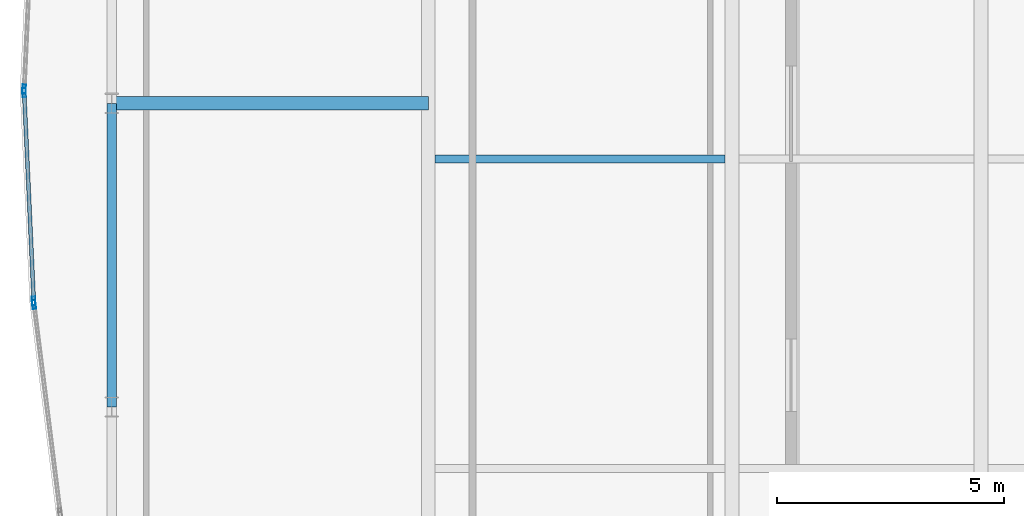
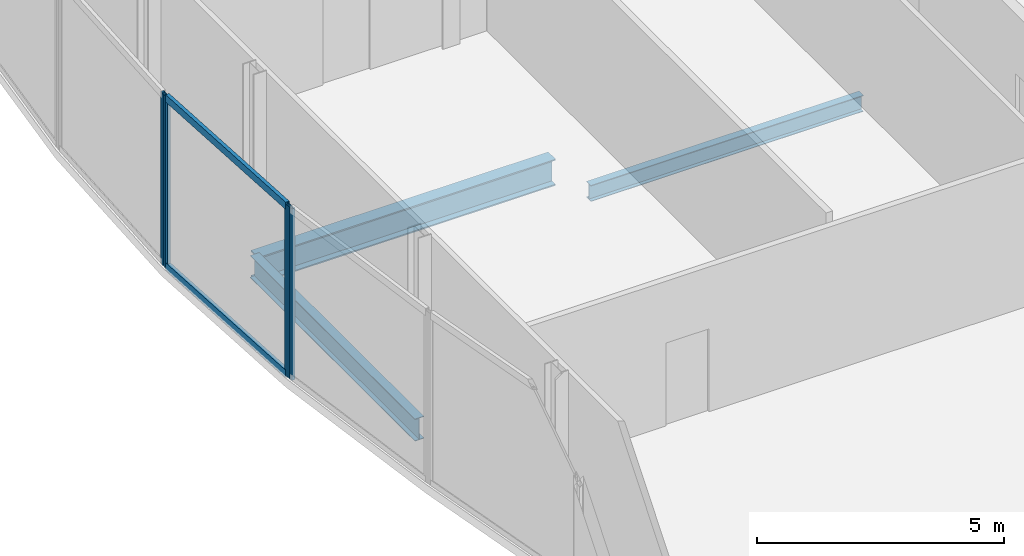
# One storey, part 9 of 27: 6 members, 3 beams, 3 elements without a shape of their own.
"""IFC4 building model written with IfcOpenShell, lengths in metres."""

from ifc_helpers import new_model, si_unit, direction, frame, origin, origin_2d, place, context, subcontext, project, spatial, hollow_rectangle, i_section, extrude, material, material_profile, profile_set, type_object, element, aggregate, save


model = new_model("IFC4")

# Units and contexts
model_context = context("Model", 3, precision=1e-05, world=origin(), true_north=direction((0.0, 1.0)))
body_context = subcontext(model_context, "Body", "Model", "MODEL_VIEW")
ifc_project = project(units=[si_unit("LENGTHUNIT", "METRE"), si_unit("AREAUNIT", "SQUARE_METRE"), si_unit("VOLUMEUNIT", "CUBIC_METRE"), si_unit("PLANEANGLEUNIT", "RADIAN"), si_unit("MASSUNIT", "GRAM", prefix="KILO")], contexts=[model_context])

# Site, building, storey
site_placement = place(None, origin())
site = spatial("IfcSite", under=ifc_project, at=site_placement, CompositionType="ELEMENT")
building_placement = place(site_placement, origin())
building = spatial("IfcBuilding", under=site, at=building_placement, Name="Khoronbel Lancet Exchange", CompositionType="ELEMENT")
storey_placement = place(building_placement, frame((0.0, 0.0, 305.800048828125)))
storey = spatial("IfcBuildingStorey", under=building, at=storey_placement, Name="L79", CompositionType="ELEMENT", Elevation=305.800048828125)

# Beams
ifc_material_1 = material(Name="Steel S355", Category="steel")
ifc_material_profile_1 = material_profile(ifc_material_1, i_section(OverallWidth=0.300048828125, OverallDepth=0.64990234375, WebThickness=0.01611328125, FlangeThickness=0.031005859375, at=origin_2d()), Name="HEB 650")
ifc_profile_set_1 = profile_set([ifc_material_profile_1], Name="Steel S355")
beam_type_1 = type_object("IfcBeamType", Name="BM-BG4", PredefinedType="BEAM", material=ifc_profile_set_1)
beam_1_placement = place(storey_placement, frame((11.27001953125, 31.425048828125, -0.545166015625), z_axis=(1.0, 0.0, 0.0), x_axis=(0.0, 1.0, 0.0)))
element("IfcBeam", 1, at=beam_1_placement, inside=storey, type_object=beam_type_1, Name="Level L79 west lens tie girder LG2W", PredefinedType="BEAM", context=body_context, shape_type="SweptSolid", body=[
    extrude(i_section(OverallWidth=0.300048828125, OverallDepth=0.64990234375, WebThickness=0.01611328125, FlangeThickness=0.031005859375, at=origin_2d()), origin(), (0.0, 0.0, 1.0), 6.955078125),
])
ifc_material_profile_2 = material_profile(ifc_material_1, i_section(OverallWidth=0.179931640625, OverallDepth=0.39990234375, WebThickness=0.008544921875, FlangeThickness=0.013427734375, at=origin_2d()), Name="IPE 400")
ifc_profile_set_2 = profile_set([ifc_material_profile_2], Name="Steel S355")
beam_type_2 = type_object("IfcBeamType", Name="BM-BJ5", PredefinedType="JOIST", material=ifc_profile_set_2)
beam_2_placement = place(storey_placement, frame((18.375, 30.199951171875, -0.420166015625), z_axis=(1.0, 0.0, 0.0), x_axis=(0.0, 1.0, 0.0)))
element("IfcBeam", 2, at=beam_2_placement, inside=storey, type_object=beam_type_2, Name="Level L79 secondary composite joist J11", PredefinedType="JOIST", context=body_context, shape_type="SweptSolid", body=[
    extrude(i_section(OverallWidth=0.179931640625, OverallDepth=0.39990234375, WebThickness=0.008544921875, FlangeThickness=0.013427734375, at=origin_2d()), origin(), (0.0, 0.0, 1.0), 6.375),
])
ifc_material_profile_3 = material_profile(ifc_material_1, i_section(OverallWidth=0.2099609375, OverallDepth=0.550048828125, WebThickness=0.010986328125, FlangeThickness=0.01708984375, at=origin_2d()), Name="IPE 550")
ifc_profile_set_3 = profile_set([ifc_material_profile_3], Name="Steel S355")
beam_type_3 = type_object("IfcBeamType", Name="BM-BSP3", PredefinedType="SPANDREL", material=ifc_profile_set_3)
beam_3_placement = place(storey_placement, frame((11.27001953125, 31.425048828125, -0.4951171875), z_axis=(0.0, -1.0, 0.0), x_axis=(1.0, 0.0, 0.0)))
element("IfcBeam", 3, at=beam_3_placement, inside=storey, type_object=beam_type_3, Name="Level L79 perimeter spandrel beam SP17", PredefinedType="SPANDREL", context=body_context, shape_type="SweptSolid", body=[
    extrude(i_section(OverallWidth=0.2099609375, OverallDepth=0.550048828125, WebThickness=0.010986328125, FlangeThickness=0.01708984375, at=origin_2d()), origin(), (0.0, 0.0, 1.0), 6.675048828125),
])

# Curtain wall, member
ifc_material_2 = material(Name="Low-E Solar Control Insulating Glass", Category="glass")
curtain_wall_type = type_object("IfcCurtainWallType", Name="CW-4", PredefinedType="NOTDEFINED", material=ifc_material_2)
curtain_wall_1_placement = place(storey_placement, origin())
curtain_wall_1 = element("IfcCurtainWall", 4, at=curtain_wall_1_placement, inside=storey, type_object=curtain_wall_type, Name="Unitised curtain wall CW-L79-E05", PredefinedType="NOTDEFINED")
ifc_material_3 = material(Name="Bronze-Anodised Aluminium 6063-T6", Category="aluminium")
ifc_material_profile_4 = material_profile(ifc_material_3, hollow_rectangle(XDim=0.074951171875, YDim=0.199951171875, WallThickness=0.0048828125, at=origin_2d()), Name="ALU MULLION 75x200")
ifc_profile_set_4 = profile_set([ifc_material_profile_4], Name="Bronze-Anodised Aluminium 6063-T6")
member_type_1 = type_object("IfcMemberType", Name="MEM-CWM2", PredefinedType="MULLION", material=ifc_profile_set_4)
member_1_placement = place(storey_placement, frame((9.558837890625, 27.00390625, 0.0), z_axis=(0.0, 0.0, 1.0), x_axis=(-0.992218486687, -0.124508934127, 0.0)))
member_1 = element("IfcMember", 5, at=member_1_placement, type_object=member_type_1, Name="CW4 mullion 2", PredefinedType="MULLION", context=body_context, shape_type="SweptSolid", body=[
    extrude(hollow_rectangle(XDim=0.074951171875, YDim=0.199951171875, WallThickness=0.0048828125, at=origin_2d()), origin(), (0.0, 0.0, 1.0), 4.239990234375),
])
aggregate(curtain_wall_1, [member_1])

# Curtain wall, members
curtain_wall_2_placement = place(storey_placement, origin())
curtain_wall_2 = element("IfcCurtainWall", 6, at=curtain_wall_2_placement, inside=storey, type_object=curtain_wall_type, Name="Unitised curtain wall CW-L79-E06", PredefinedType="NOTDEFINED")
member_2_placement = place(storey_placement, frame((9.552490234375, 27.078369140625, 0.0), z_axis=(0.0, 0.0, 1.0), x_axis=(-0.998946764263, -0.045884225704, 0.0)))
member_2 = element("IfcMember", 7, at=member_2_placement, type_object=member_type_1, Name="CW4 mullion 1", PredefinedType="MULLION", context=body_context, shape_type="SweptSolid", body=[
    extrude(hollow_rectangle(XDim=0.074951171875, YDim=0.199951171875, WallThickness=0.0048828125, at=origin_2d()), origin(), (0.0, 0.0, 1.0), 4.239990234375),
])
member_3_placement = place(storey_placement, frame((9.341796875, 31.66259765625, 0.0), z_axis=(0.0, 0.0, 1.0), x_axis=(-0.998946764263, -0.045884225704, 0.0)))
member_3 = element("IfcMember", 8, at=member_3_placement, type_object=member_type_1, Name="CW4 mullion 2", PredefinedType="MULLION", context=body_context, shape_type="SweptSolid", body=[
    extrude(hollow_rectangle(XDim=0.074951171875, YDim=0.199951171875, WallThickness=0.0048828125, at=origin_2d()), origin(), (0.0, 0.0, 1.0), 4.239990234375),
])

# Curtain wall, member
curtain_wall_3_placement = place(storey_placement, origin())
curtain_wall_3 = element("IfcCurtainWall", 9, at=curtain_wall_3_placement, inside=storey, type_object=curtain_wall_type, Name="Unitised curtain wall CW-L79-E07", PredefinedType="NOTDEFINED")
member_4_placement = place(storey_placement, frame((9.341796875, 31.737548828125, 0.0), z_axis=(0.0, 0.0, 1.0), x_axis=(-0.998946764263, 0.045884225704, 0.0)))
member_4 = element("IfcMember", 10, at=member_4_placement, type_object=member_type_1, Name="CW4 mullion 1", PredefinedType="MULLION", context=body_context, shape_type="SweptSolid", body=[
    extrude(hollow_rectangle(XDim=0.074951171875, YDim=0.199951171875, WallThickness=0.0048828125, at=origin_2d()), origin(), (0.0, 0.0, 1.0), 4.239990234375),
])
aggregate(curtain_wall_3, [member_4])

# Member
ifc_material_profile_5 = material_profile(ifc_material_3, hollow_rectangle(XDim=0.0849609375, YDim=0.179931640625, WallThickness=0.0048828125, at=origin_2d()), Name="ALU TRANSOM 85x180")
ifc_profile_set_5 = profile_set([ifc_material_profile_5], Name="Bronze-Anodised Aluminium 6063-T6")
member_type_2 = type_object("IfcMemberType", Name="MEM-CWT1", PredefinedType="USERDEFINED", material=ifc_profile_set_5)
member_5_placement = place(storey_placement, frame((9.550537109375, 27.115966796875, 0.04248046875), z_axis=(-0.0458664545, 0.998947580382, 0.0), x_axis=(-0.998947580382, -0.0458664545, 0.0)))
member_5 = element("IfcMember", 11, at=member_5_placement, type_object=member_type_2, Name="CW4 transom 1.1", ObjectType="TRANSOM", PredefinedType="USERDEFINED", context=body_context, shape_type="SweptSolid", body=[
    extrude(hollow_rectangle(XDim=0.0849609375, YDim=0.179931640625, WallThickness=0.0048828125, at=origin_2d()), origin(), (0.0, 0.0, 1.0), 4.513671875),
])

member_6_placement = place(storey_placement, frame((9.550537109375, 27.115966796875, 4.197509765625), z_axis=(-0.0458664545, 0.998947580382, 0.0), x_axis=(-0.998947580382, -0.0458664545, 0.0)))
member_6 = element("IfcMember", 12, at=member_6_placement, type_object=member_type_2, Name="CW4 transom 1.2", ObjectType="TRANSOM", PredefinedType="USERDEFINED", context=body_context, shape_type="SweptSolid", body=[
    extrude(hollow_rectangle(XDim=0.0849609375, YDim=0.179931640625, WallThickness=0.0048828125, at=origin_2d()), origin(), (0.0, 0.0, 1.0), 4.513671875),
])

aggregate(curtain_wall_2, [member_2, member_3, member_5, member_6])

save(model, "model.ifc")
